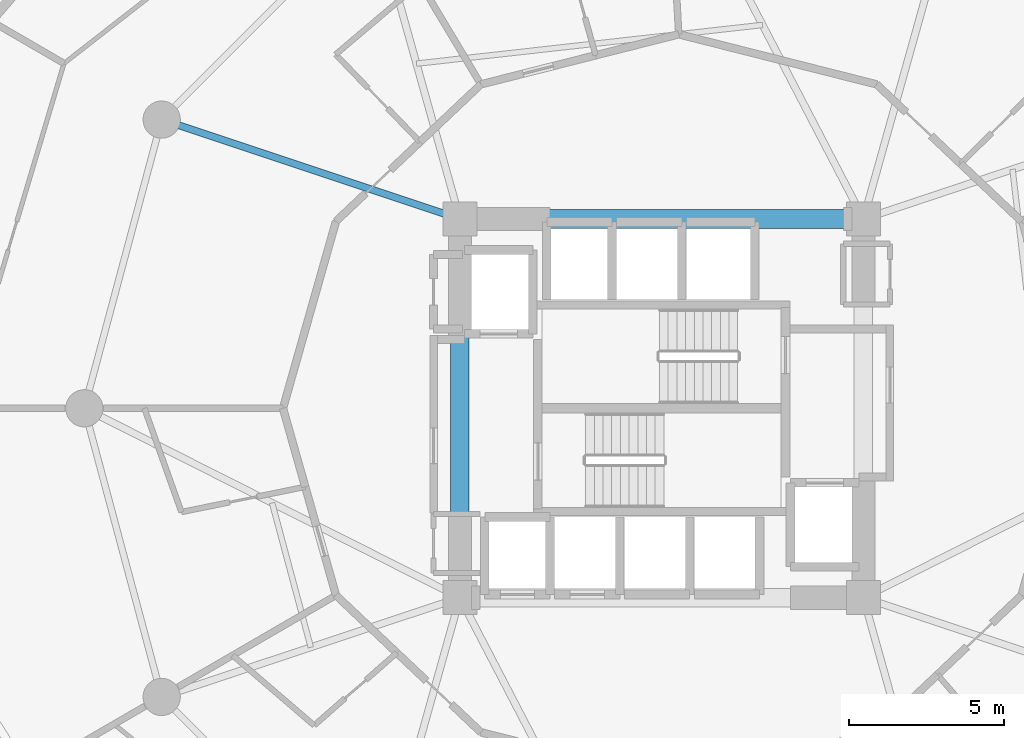
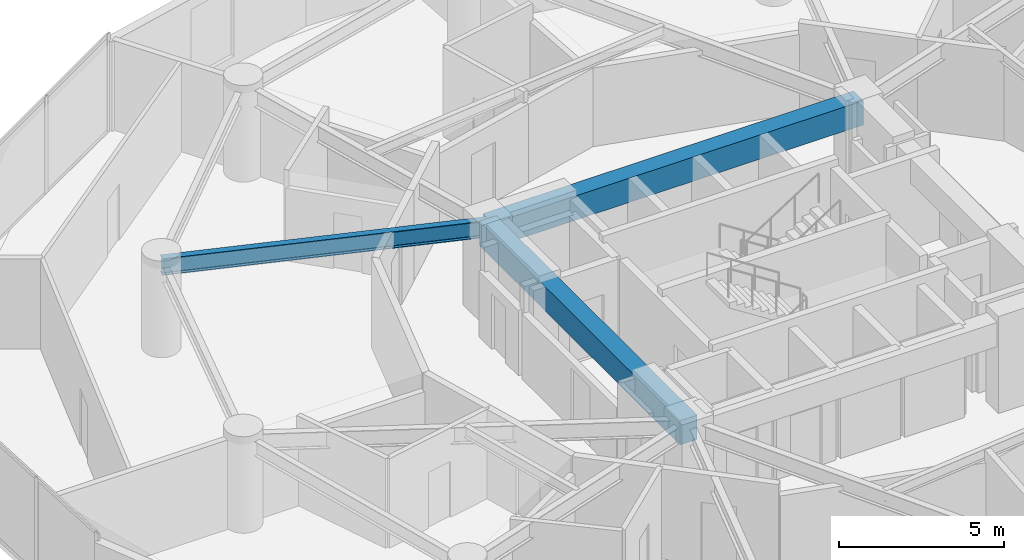
# One storey, part 7 of 23: 3 beams.
"""IFC4 building model written with IfcOpenShell, lengths in metres."""

from ifc_helpers import new_model, si_unit, direction, frame, origin, origin_2d, place, context, subcontext, project, spatial, rectangle, i_section, extrude, material, material_profile, profile_set, type_object, element, save


model = new_model("IFC4")

# Units and contexts
model_context = context("Model", 3, precision=1e-05, world=origin(), true_north=direction((0.0, 1.0)))
body_context = subcontext(model_context, "Body", "Model", "MODEL_VIEW")
ifc_project = project(units=[si_unit("LENGTHUNIT", "METRE"), si_unit("AREAUNIT", "SQUARE_METRE"), si_unit("VOLUMEUNIT", "CUBIC_METRE"), si_unit("PLANEANGLEUNIT", "RADIAN"), si_unit("MASSUNIT", "GRAM", prefix="KILO")], contexts=[model_context])

# Site, building, storey
site_placement = place(None, origin())
site = spatial("IfcSite", under=ifc_project, at=site_placement, CompositionType="ELEMENT")
building_placement = place(site_placement, origin())
building = spatial("IfcBuilding", under=site, at=building_placement, Name="Solvirekh Grand Hotel", CompositionType="ELEMENT")
storey_placement = place(building_placement, frame((0.0, 0.0, 42.800048828125)))
storey = spatial("IfcBuildingStorey", under=building, at=storey_placement, Name="L09", CompositionType="ELEMENT", Elevation=42.800048828125)

# Beams
ifc_material_1 = material(Name="Concrete C50/60", Category="concrete")
ifc_material_profile_1 = material_profile(ifc_material_1, rectangle(XDim=0.60009765625, YDim=0.89990234375, at=origin_2d()), Name="RC BEAM 600X900")
ifc_profile_set_1 = profile_set([ifc_material_profile_1], Name="Concrete C50/60")
beam_type_1 = type_object("IfcBeamType", Name="Beam_Core_RC900", PredefinedType="BEAM", material=ifc_profile_set_1)
beam_1_placement = place(storey_placement, frame((6.5, 6.10009765625, 2.889892578125), z_axis=(-1.0, 0.0, 0.0), x_axis=(0.0, -1.0, 0.0)))
element("IfcBeam", 1, at=beam_1_placement, inside=storey, type_object=beam_type_1, Name="L09 core coupling ring beam 3", PredefinedType="BEAM", context=body_context, shape_type="SweptSolid", body=[
    extrude(rectangle(XDim=0.60009765625, YDim=0.89990234375, at=origin_2d()), origin(), (0.0, 0.0, 1.0), 13.0),
])
beam_2_placement = place(storey_placement, frame((-6.5, 6.10009765625, 2.889892578125), z_axis=(0.0, -1.0, 0.0), x_axis=(1.0, 0.0, 0.0)))
element("IfcBeam", 2, at=beam_2_placement, inside=storey, type_object=beam_type_1, Name="L09 core coupling ring beam 4", PredefinedType="BEAM", context=body_context, shape_type="SweptSolid", body=[
    extrude(rectangle(XDim=0.60009765625, YDim=0.89990234375, at=origin_2d()), origin(), (0.0, 0.0, 1.0), 12.2001953125),
])
ifc_material_2 = material(Name="Steel S355", Category="steel")
ifc_material_profile_2 = material_profile(ifc_material_2, i_section(OverallWidth=0.22802734375, OverallDepth=0.616943359375, WebThickness=0.012939453125, FlangeThickness=0.02001953125, FilletRadius=0.014892578125, at=origin_2d()), Name="W610X140")
ifc_profile_set_2 = profile_set([ifc_material_profile_2], Name="Steel S355")
beam_type_2 = type_object("IfcBeamType", Name="Beam_Radial_W610", PredefinedType="BEAM", material=ifc_profile_set_2)
beam_3_placement = place(storey_placement, frame((-6.5, 6.10009765625, 3.031005859375), z_axis=(-0.948762825819, 0.315989082635, 0.0), x_axis=(-0.315989082635, -0.948762825819, 0.0)))
element("IfcBeam", 3, at=beam_3_placement, inside=storey, type_object=beam_type_2, Name="L09 radial floor beam R06", PredefinedType="BEAM", context=body_context, shape_type="SweptSolid", body=[
    extrude(i_section(OverallWidth=0.22802734375, OverallDepth=0.616943359375, WebThickness=0.012939453125, FlangeThickness=0.02001953125, FilletRadius=0.014892578125, at=origin_2d()), origin(), (0.0, 0.0, 1.0), 10.126708984375),
])

save(model, "model.ifc")
